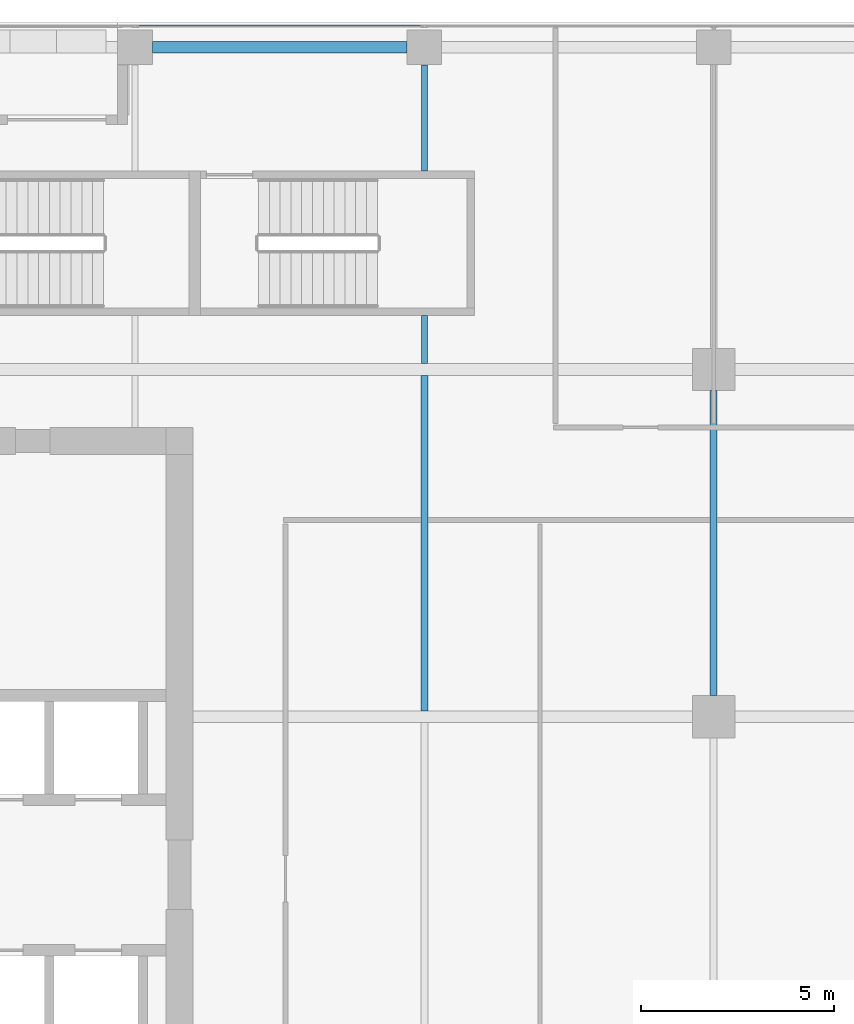
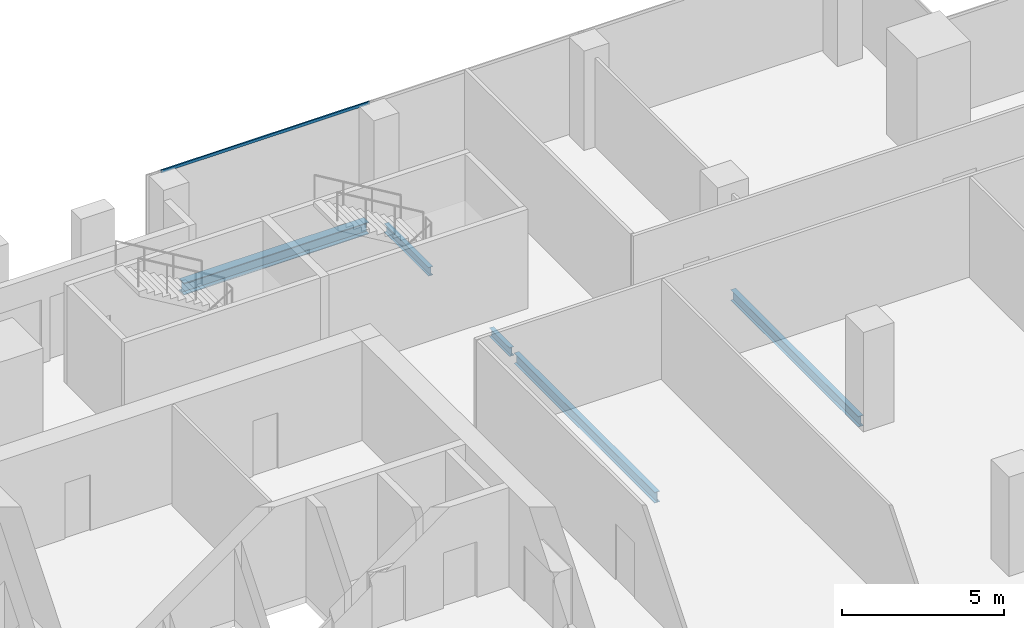
# One storey, part 20 of 36: 5 beams, 1 member, 1 element without a shape of its own.
"""IFC4 building model written with IfcOpenShell, lengths in metres."""

import ifcopenshell
import ifcopenshell.guid

model = None  # the IFC model being written
_history = None  # IfcOwnerHistory: only IFC2X3 demands one
_inside = {}  # id of a spatial element -> (the spatial element, [elements in it])
_under = {}  # id of a project, library or spatial element -> (it, [spatial elements below it])
_declared = {}  # id of a project -> (the project, [libraries it declares])
_typed = {}  # id of a type object -> (the type object, [elements of that type])
_made_of = {}  # id of a material, layer set ... -> (it, [elements and type objects made of it])


def new_model(schema):
    """Start an empty IFC model of exactly this schema.

    Asked for "IFC4X3", IfcOpenShell would pick the latest addendum, in which some entities
    have other attributes; the version numbers below select the first issue.
    IFC2X3 requires an IfcOwnerHistory on every rooted entity: one is made here for all.
    """
    global model, _history
    if schema == "IFC4X3":
        model = ifcopenshell.file(schema_version=(4, 3, 0, 0))
    else:
        model = ifcopenshell.file(schema=schema)
    _inside.clear()
    _under.clear()
    _declared.clear()
    _typed.clear()
    _made_of.clear()
    _history = None
    if model.schema == "IFC2X3":
        org = make("IfcOrganization", Name="unknown")
        user = make(
            "IfcPersonAndOrganization",
            ThePerson=make("IfcPerson", FamilyName="unknown"),
            TheOrganization=org,
        )
        app = make(
            "IfcApplication",
            ApplicationDeveloper=org,
            Version="unknown",
            ApplicationFullName="unknown",
            ApplicationIdentifier="unknown",
        )
        _history = make(
            "IfcOwnerHistory",
            OwningUser=user,
            OwningApplication=app,
            ChangeAction="ADDED",
            CreationDate=0,
        )
    return model


def make(cls, **values):
    """One entity of the class cls with the attributes given. An attribute that is None is left unset."""
    return model.create_entity(
        cls, **{name: value for name, value in values.items() if value is not None}
    )


def rooted(cls, **values):
    """An entity with a GlobalId (a new one), such as an element, a storey or a relation."""
    return make(cls, GlobalId=ifcopenshell.guid.new(), OwnerHistory=_history, **values)


def si_unit(unit_type, name, prefix=None):
    """IfcSIUnit, for example si_unit("LENGTHUNIT", "METRE", prefix="MILLI")."""
    return make("IfcSIUnit", UnitType=unit_type, Prefix=prefix, Name=name)


def assignment(units):
    """IfcUnitAssignment: the units of a project."""
    return None if units is None else make("IfcUnitAssignment", Units=units)


def point(xyz):
    """IfcCartesianPoint."""
    return None if xyz is None else make("IfcCartesianPoint", Coordinates=xyz)


def direction(xyz):
    """IfcDirection."""
    return None if xyz is None else make("IfcDirection", DirectionRatios=xyz)


def frame(location, z_axis=None, x_axis=None):
    """IfcAxis2Placement3D, a coordinate frame: its origin and axes. An axis left out is left unset."""
    return make(
        "IfcAxis2Placement3D",
        Location=point(location),
        Axis=direction(z_axis),
        RefDirection=direction(x_axis),
    )


def frame_2d(location, x_axis=None):
    """IfcAxis2Placement2D, a coordinate frame in the plane: its origin and x axis."""
    return make(
        "IfcAxis2Placement2D", Location=point(location), RefDirection=direction(x_axis)
    )


def origin():
    """The frame at (0, 0, 0) with its axes left unset."""
    return frame((0.0, 0.0, 0.0))


def origin_2d():
    """The frame at (0, 0) in the plane with its x axis left unset."""
    return frame_2d((0.0, 0.0))


def place(relative_to, where):
    """IfcLocalPlacement: puts the frame where relative to a parent placement (None: the world)."""
    return make(
        "IfcLocalPlacement", PlacementRelTo=relative_to, RelativePlacement=where
    )


def context(
    kind, dimensions, precision=None, world=None, true_north=None, identifier=None
):
    """IfcGeometricRepresentationContext, for example the 3D "Model" context."""
    return make(
        "IfcGeometricRepresentationContext",
        ContextIdentifier=identifier,
        ContextType=kind,
        CoordinateSpaceDimension=dimensions,
        Precision=precision,
        WorldCoordinateSystem=world,
        TrueNorth=true_north,
    )


def subcontext(parent, identifier, kind, view, scale=None):
    """IfcGeometricRepresentationSubContext, for example "Body" below "Model"."""
    return make(
        "IfcGeometricRepresentationSubContext",
        ContextIdentifier=identifier,
        ContextType=kind,
        ParentContext=parent,
        TargetScale=scale,
        TargetView=view,
    )


def project(units=None, contexts=None):
    """IfcProject with its units and contexts."""
    return rooted(
        "IfcProject",
        Name="project",
        RepresentationContexts=contexts,
        UnitsInContext=assignment(units),
    )


def spatial(cls, under=None, at=None, **own):
    """A site, building, storey or space (cls), placed at a placement, below another one or the project."""
    s = rooted(cls, ObjectPlacement=at, **own)
    if under is not None:
        _under.setdefault(under.id(), (under, []))[1].append(s)
    return s


def profile(cls, at=None, kind="AREA", **sizes):
    """A parametric profile (cls). Its sizes go by their IFC names, for example OverallWidth=200.0."""
    return make(cls, ProfileType=kind, Position=at, **sizes)


def hollow_rectangle(**sizes):
    """IfcRectangleHollowProfileDef."""
    return profile("IfcRectangleHollowProfileDef", **sizes)


def i_section(**sizes):
    """IfcIShapeProfileDef."""
    return profile("IfcIShapeProfileDef", **sizes)


def extrude(swept, where, along, depth):
    """IfcExtrudedAreaSolid: the profile swept, set in the frame where, extruded along a direction by depth."""
    return make(
        "IfcExtrudedAreaSolid",
        SweptArea=swept,
        Position=where,
        ExtrudedDirection=direction(along),
        Depth=depth,
    )


def shape(context_of_items, identifier, shape_type, items):
    """IfcShapeRepresentation: the items that make up one representation, for example the "Body"."""
    return make(
        "IfcShapeRepresentation",
        ContextOfItems=context_of_items,
        RepresentationIdentifier=identifier,
        RepresentationType=shape_type,
        Items=items,
    )


def source(mapping_origin, context_of_items, identifier, shape_type, items):
    """IfcRepresentationMap: a shape defined once, which mapped items show again and again."""
    return make(
        "IfcRepresentationMap",
        MappingOrigin=mapping_origin,
        MappedRepresentation=shape(context_of_items, identifier, shape_type, items),
    )


def transform(
    local_origin,
    x_axis=None,
    y_axis=None,
    z_axis=None,
    scale=None,
    scale2=None,
    scale3=None,
    uniform=True,
):
    """IfcCartesianTransformationOperator3D, or its non-uniform kind. x_axis, y_axis, z_axis: its Axis1, 2, 3."""
    if uniform:
        return make(
            "IfcCartesianTransformationOperator3D",
            Axis1=direction(x_axis),
            Axis2=direction(y_axis),
            LocalOrigin=point(local_origin),
            Scale=scale,
            Axis3=direction(z_axis),
        )
    return make(
        "IfcCartesianTransformationOperator3DnonUniform",
        Axis1=direction(x_axis),
        Axis2=direction(y_axis),
        LocalOrigin=point(local_origin),
        Scale=scale,
        Axis3=direction(z_axis),
        Scale2=scale2,
        Scale3=scale3,
    )


def mapped(mapping_source, mapping_target):
    """IfcMappedItem: shows the shape of a source again, moved by a transform."""
    return make(
        "IfcMappedItem", MappingSource=mapping_source, MappingTarget=mapping_target
    )


def material(Name=None, Category=None):
    """IfcMaterial."""
    return make("IfcMaterial", Name=Name, Category=Category)


def material_profile(
    of_material, cross_section, Name=None, Category=None, Priority=None
):
    """IfcMaterialProfile: a cross section and its material."""
    return make(
        "IfcMaterialProfile",
        Name=Name,
        Material=of_material,
        Profile=cross_section,
        Priority=Priority,
        Category=Category,
    )


def profile_set(profiles, Name=None, composite=None):
    """IfcMaterialProfileSet."""
    return make(
        "IfcMaterialProfileSet",
        Name=Name,
        MaterialProfiles=profiles,
        CompositeProfile=composite,
    )


def made_of(thing, what):
    """Note that an element or type object is made of a material, layer set ...; save() writes the relation."""
    if what is not None:
        _made_of.setdefault(what.id(), (what, []))[1].append(thing)
    return thing


def type_object(cls, material=None, **own):
    """A type object (cls), such as IfcWallType, which elements share."""
    return made_of(rooted(cls, **own), material)


def element(
    cls,
    number,
    at=None,
    inside=None,
    cuts=None,
    type_object=None,
    material=None,
    context=None,
    identifier="Body",
    shape_type=None,
    held_by="IfcProductDefinitionShape",
    body=None,
    shapes=None,
    **own,
):
    """One element of the class cls, such as IfcWall. Its Tag is "e" and its number.

    at: its placement. inside: the storey or other place that contains it. cuts: it is an
    opening in that element (IfcRelVoidsElement). A single representation is given by context,
    identifier, shape_type and body (its items); several are given by shapes. held_by: the class
    of the entity that holds the representations. save() writes the other relations.
    """
    e = rooted(cls, Tag="e%d" % number, ObjectPlacement=at, **own)
    if body is not None:
        shapes = [shape(context, identifier, shape_type, body)]
    if shapes is not None:
        e.Representation = make(held_by, Representations=shapes)
    if inside is not None:
        _inside.setdefault(inside.id(), (inside, []))[1].append(e)
    if cuts is not None:
        rooted(
            "IfcRelVoidsElement", RelatingBuildingElement=cuts, RelatedOpeningElement=e
        )
    if type_object is not None:
        _typed.setdefault(type_object.id(), (type_object, []))[1].append(e)
    return made_of(e, material)


def aggregate(whole, parts):
    """IfcRelAggregates: a whole, such as a stair, and the parts it consists of."""
    return rooted("IfcRelAggregates", RelatingObject=whole, RelatedObjects=parts)


def save(model, path):
    """Write the relations noted so far, then the file.

    IfcRelAggregates (storeys below a building ...), IfcRelContainedInSpatialStructure (elements
    in a storey), IfcRelDefinesByType, IfcRelAssociatesMaterial and IfcRelDeclares: one each for
    every whole, place, type object, material and project.
    """
    for whole, parts in _under.values():
        aggregate(whole, parts)
    for where, things in _inside.values():
        rooted(
            "IfcRelContainedInSpatialStructure",
            RelatedElements=things,
            RelatingStructure=where,
        )
    for kind, things in _typed.values():
        rooted("IfcRelDefinesByType", RelatedObjects=things, RelatingType=kind)
    for what, things in _made_of.values():
        rooted("IfcRelAssociatesMaterial", RelatedObjects=things, RelatingMaterial=what)
    for by, libraries in _declared.values():
        rooted("IfcRelDeclares", RelatingContext=by, RelatedDefinitions=libraries)
    model.write(path)


model = new_model("IFC4")

# Units and contexts
model_context = context("Model", 3, precision=1e-05, world=origin(), true_north=direction((0.0, 1.0)))
body_context = subcontext(model_context, "Body", "Model", "MODEL_VIEW")
ifc_project = project(units=[si_unit("LENGTHUNIT", "METRE"), si_unit("AREAUNIT", "SQUARE_METRE"), si_unit("VOLUMEUNIT", "CUBIC_METRE"), si_unit("PLANEANGLEUNIT", "RADIAN"), si_unit("MASSUNIT", "GRAM", prefix="KILO")], contexts=[model_context])

# Site, building, storey
site_placement = place(None, origin())
site = spatial("IfcSite", under=ifc_project, at=site_placement, CompositionType="ELEMENT")
building_placement = place(site_placement, origin())
building = spatial("IfcBuilding", under=site, at=building_placement, Name="Khomas Fold Tower", CompositionType="ELEMENT")
storey_placement = place(building_placement, frame((0.0, 0.0, 230.199951171875)))
storey = spatial("IfcBuildingStorey", under=building, at=storey_placement, Name="L51", CompositionType="ELEMENT", Elevation=230.199951171875)

# Beams
ifc_material_1 = material(Name="Steel S355", Category="steel")
ifc_material_profile_1 = material_profile(ifc_material_1, i_section(OverallWidth=0.179931640625, OverallDepth=0.39990234375, WebThickness=0.008544921875, FlangeThickness=0.013427734375, at=origin_2d()), Name="IPE 400")
ifc_profile_set_1 = profile_set([ifc_material_profile_1], Name="Steel S355")
beam_type_1 = type_object("IfcBeamType", Name="IPE 400 beam JB3", PredefinedType="BEAM", material=ifc_profile_set_1)
shared_shape_1 = source(origin(), body_context, "Body", "SweptSolid", [
    extrude(i_section(OverallWidth=0.179931640625, OverallDepth=0.39990234375, WebThickness=0.008544921875, FlangeThickness=0.013427734375, at=origin_2d()), origin(), (0.0, 0.0, 1.0), 8.7001953125),
])
beam_1_placement = place(storey_placement, frame((27.0, 31.64990234375, -0.449951171875), z_axis=(0.0, 1.0, 0.0), x_axis=(-1.0, 0.0, 0.0)))
element("IfcBeam", 1, at=beam_1_placement, inside=storey, type_object=beam_type_1, Name="JB3", PredefinedType="BEAM", context=body_context, shape_type="MappedRepresentation", body=[
    mapped(shared_shape_1, transform((0.0, 0.0, 0.0))),
])
ifc_material_2 = material(Name="Steel S355", Category="steel")
ifc_material_profile_2 = material_profile(ifc_material_2, i_section(OverallWidth=0.159912109375, OverallDepth=0.330078125, WebThickness=0.007568359375, FlangeThickness=0.011474609375, at=origin_2d()), Name="IPE 330")
ifc_profile_set_2 = profile_set([ifc_material_profile_2], Name="Steel S355")
beam_type_2 = type_object("IfcBeamType", Name="IPE 330 beam JB1", PredefinedType="BEAM", material=ifc_profile_set_2)
shared_shape_2 = source(origin(), body_context, "Body", "SweptSolid", [
    extrude(i_section(OverallWidth=0.159912109375, OverallDepth=0.330078125, WebThickness=0.007568359375, FlangeThickness=0.011474609375, at=origin_2d()), origin(), (0.0, 0.0, 1.0), 1.25),
])
beam_2_placement = place(storey_placement, frame((27.0, 40.64990234375, -0.4150390625), z_axis=(0.0, 1.0, 0.0), x_axis=(-1.0, 0.0, 0.0)))
element("IfcBeam", 2, at=beam_2_placement, inside=storey, type_object=beam_type_2, Name="JB1", PredefinedType="BEAM", context=body_context, shape_type="MappedRepresentation", body=[
    mapped(shared_shape_2, transform((0.0, 0.0, 0.0))),
])
shared_shape_3 = source(origin(), body_context, "Body", "SweptSolid", [
    extrude(i_section(OverallWidth=0.159912109375, OverallDepth=0.330078125, WebThickness=0.007568359375, FlangeThickness=0.011474609375, at=origin_2d()), origin(), (0.0, 0.0, 1.0), 2.75),
])
beam_3_placement = place(storey_placement, frame((27.0, 45.64990234375, -0.4150390625), z_axis=(0.0, 1.0, 0.0), x_axis=(-1.0, 0.0, 0.0)))
element("IfcBeam", 3, at=beam_3_placement, inside=storey, type_object=beam_type_2, Name="JB1", PredefinedType="BEAM", context=body_context, shape_type="MappedRepresentation", body=[
    mapped(shared_shape_3, transform((0.0, 0.0, 0.0))),
])
ifc_material_3 = material(Name="Steel S355", Category="steel")
ifc_material_profile_3 = material_profile(ifc_material_3, i_section(OverallWidth=0.300048828125, OverallDepth=0.449951171875, WebThickness=0.013916015625, FlangeThickness=0.02587890625, at=origin_2d()), Name="HE 450 B")
ifc_profile_set_3 = profile_set([ifc_material_profile_3], Name="Steel S355")
beam_type_3 = type_object("IfcBeamType", Name="HE 450 B spandrel SB4", PredefinedType="SPANDREL", material=ifc_profile_set_3)
shared_shape_4 = source(origin(), body_context, "Body", "SweptSolid", [
    extrude(i_section(OverallWidth=0.300048828125, OverallDepth=0.449951171875, WebThickness=0.013916015625, FlangeThickness=0.02587890625, at=origin_2d()), origin(), (0.0, 0.0, 1.0), 6.60009765625),
])
beam_4_placement = place(storey_placement, frame((19.949951171875, 48.85009765625, -0.474853515625), z_axis=(1.0, 0.0, 0.0), x_axis=(0.0, 1.0, 0.0)))
element("IfcBeam", 4, at=beam_4_placement, inside=storey, type_object=beam_type_3, Name="SB4", PredefinedType="SPANDREL", context=body_context, shape_type="MappedRepresentation", body=[
    mapped(shared_shape_4, transform((0.0, 0.0, 0.0))),
])
shared_shape_5 = source(origin(), body_context, "Body", "SweptSolid", [
    extrude(i_section(OverallWidth=0.179931640625, OverallDepth=0.39990234375, WebThickness=0.008544921875, FlangeThickness=0.013427734375, at=origin_2d()), origin(), (0.0, 0.0, 1.0), 7.89990234375),
])
beam_5_placement = place(storey_placement, frame((34.5, 32.050048828125, -0.449951171875), z_axis=(0.0, 1.0, 0.0), x_axis=(-1.0, 0.0, 0.0)))
element("IfcBeam", 5, at=beam_5_placement, inside=storey, type_object=beam_type_1, Name="JB3", PredefinedType="BEAM", context=body_context, shape_type="MappedRepresentation", body=[
    mapped(shared_shape_5, transform((0.0, 0.0, 0.0))),
])

# Curtain wall, member
ifc_material_4 = material(Name="Aluminium framed double glazing", Category="aluminium")
curtain_wall_type = type_object("IfcCurtainWallType", Name="SK-Unitised clear-glass wall, office floors CW2", PredefinedType="NOTDEFINED", material=ifc_material_4)
curtain_wall_placement = place(storey_placement, origin())
curtain_wall = element("IfcCurtainWall", 6, at=curtain_wall_placement, inside=storey, type_object=curtain_wall_type, Name="CW2 run L51 06-0", PredefinedType="NOTDEFINED")
ifc_material_5 = material(Name="Aluminium", Category="aluminium")
ifc_material_profile_4 = material_profile(ifc_material_5, hollow_rectangle(XDim=0.050048828125, YDim=0.110107421875, WallThickness=0.00390625, at=origin_2d()), Name="SK-Unitised clear-glass wall, office floors transom CW2-T")
ifc_profile_set_4 = profile_set([ifc_material_profile_4], Name="Aluminium")
member_type = type_object("IfcMemberType", Name="SK-Unitised clear-glass wall, office floors transom CW2-T", PredefinedType="USERDEFINED", material=ifc_profile_set_4)
shared_shape_6 = source(origin(), body_context, "Body", "SweptSolid", [
    extrude(hollow_rectangle(XDim=0.050048828125, YDim=0.110107421875, WallThickness=0.00390625, at=origin_2d()), origin(), (0.0, 0.0, 1.0), 7.43994140625),
])
member_placement = place(storey_placement, frame((26.969970703125, 49.39990234375, 3.695068359375), z_axis=(-1.0, 0.0, 0.0), x_axis=(0.0, -1.0, 0.0)))
member = element("IfcMember", 7, at=member_placement, type_object=member_type, Name="CW2 transom 4", ObjectType="TRANSOM", PredefinedType="USERDEFINED", context=body_context, shape_type="MappedRepresentation", body=[
    mapped(shared_shape_6, transform((0.0, 0.0, 0.0))),
])
aggregate(curtain_wall, [member])

save(model, "model.ifc")
